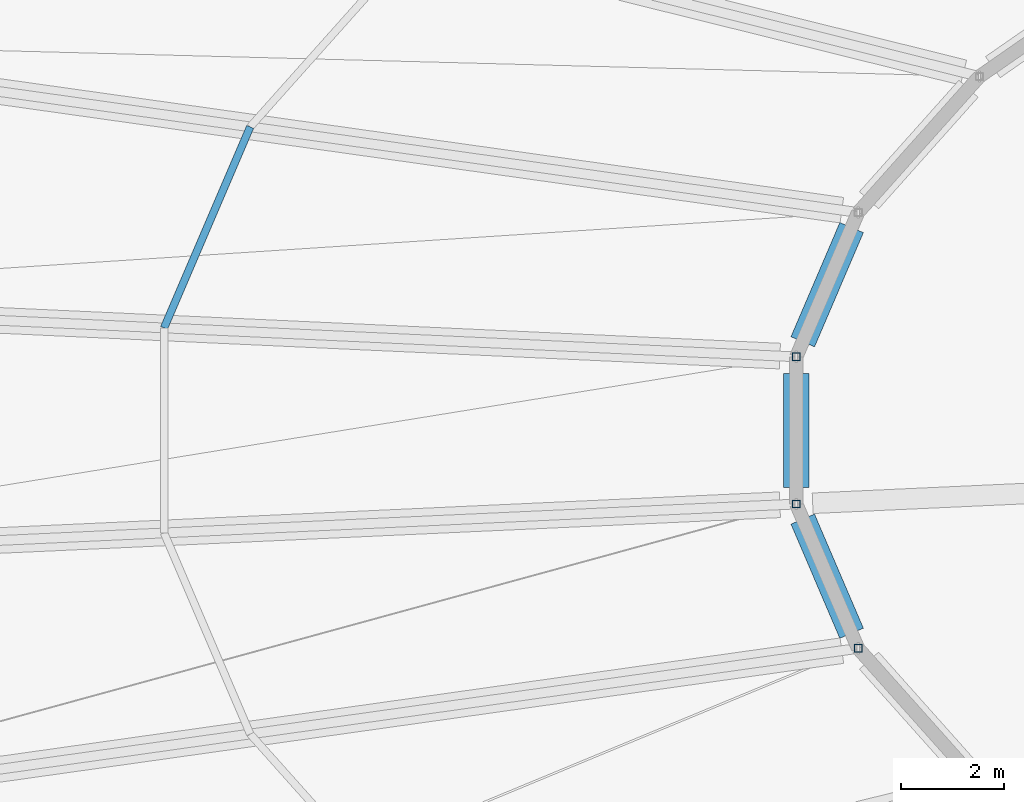
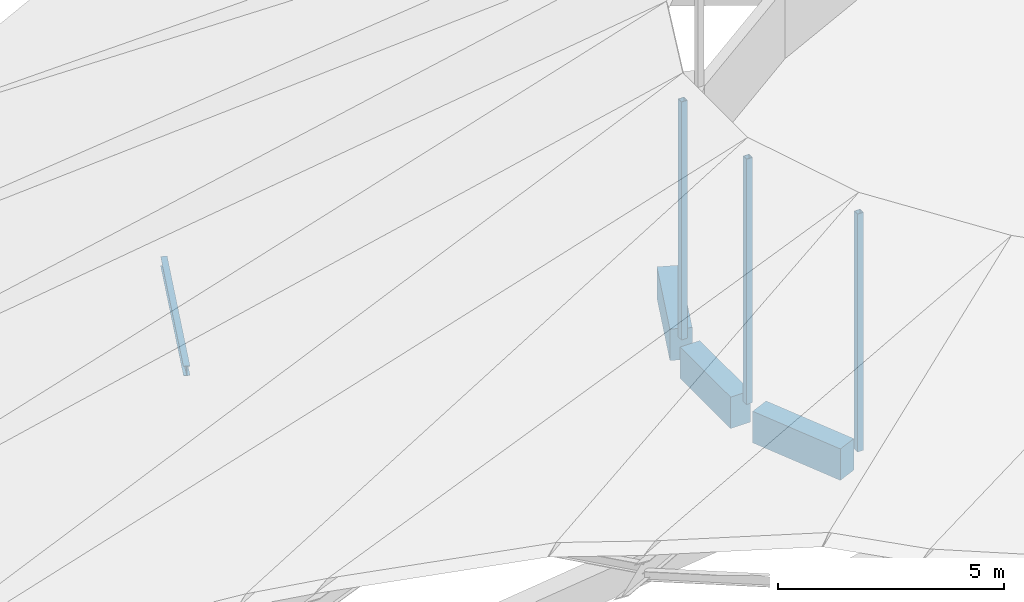
# One storey, part 25 of 142: 4 members, 3 beams.
"""IFC4 building model written with IfcOpenShell, lengths in metres."""

import ifcopenshell
import ifcopenshell.guid

model = None  # the IFC model being written
_history = None  # IfcOwnerHistory: only IFC2X3 demands one
_inside = {}  # id of a spatial element -> (the spatial element, [elements in it])
_under = {}  # id of a project, library or spatial element -> (it, [spatial elements below it])
_declared = {}  # id of a project -> (the project, [libraries it declares])
_typed = {}  # id of a type object -> (the type object, [elements of that type])
_made_of = {}  # id of a material, layer set ... -> (it, [elements and type objects made of it])


def new_model(schema):
    """Start an empty IFC model of exactly this schema.

    Asked for "IFC4X3", IfcOpenShell would pick the latest addendum, in which some entities
    have other attributes; the version numbers below select the first issue.
    IFC2X3 requires an IfcOwnerHistory on every rooted entity: one is made here for all.
    """
    global model, _history
    if schema == "IFC4X3":
        model = ifcopenshell.file(schema_version=(4, 3, 0, 0))
    else:
        model = ifcopenshell.file(schema=schema)
    _inside.clear()
    _under.clear()
    _declared.clear()
    _typed.clear()
    _made_of.clear()
    _history = None
    if model.schema == "IFC2X3":
        org = make("IfcOrganization", Name="unknown")
        user = make(
            "IfcPersonAndOrganization",
            ThePerson=make("IfcPerson", FamilyName="unknown"),
            TheOrganization=org,
        )
        app = make(
            "IfcApplication",
            ApplicationDeveloper=org,
            Version="unknown",
            ApplicationFullName="unknown",
            ApplicationIdentifier="unknown",
        )
        _history = make(
            "IfcOwnerHistory",
            OwningUser=user,
            OwningApplication=app,
            ChangeAction="ADDED",
            CreationDate=0,
        )
    return model


def make(cls, **values):
    """One entity of the class cls with the attributes given. An attribute that is None is left unset."""
    return model.create_entity(
        cls, **{name: value for name, value in values.items() if value is not None}
    )


def rooted(cls, **values):
    """An entity with a GlobalId (a new one), such as an element, a storey or a relation."""
    return make(cls, GlobalId=ifcopenshell.guid.new(), OwnerHistory=_history, **values)


def si_unit(unit_type, name, prefix=None):
    """IfcSIUnit, for example si_unit("LENGTHUNIT", "METRE", prefix="MILLI")."""
    return make("IfcSIUnit", UnitType=unit_type, Prefix=prefix, Name=name)


def assignment(units):
    """IfcUnitAssignment: the units of a project."""
    return None if units is None else make("IfcUnitAssignment", Units=units)


def point(xyz):
    """IfcCartesianPoint."""
    return None if xyz is None else make("IfcCartesianPoint", Coordinates=xyz)


def direction(xyz):
    """IfcDirection."""
    return None if xyz is None else make("IfcDirection", DirectionRatios=xyz)


def frame(location, z_axis=None, x_axis=None):
    """IfcAxis2Placement3D, a coordinate frame: its origin and axes. An axis left out is left unset."""
    return make(
        "IfcAxis2Placement3D",
        Location=point(location),
        Axis=direction(z_axis),
        RefDirection=direction(x_axis),
    )


def frame_2d(location, x_axis=None):
    """IfcAxis2Placement2D, a coordinate frame in the plane: its origin and x axis."""
    return make(
        "IfcAxis2Placement2D", Location=point(location), RefDirection=direction(x_axis)
    )


def origin():
    """The frame at (0, 0, 0) with its axes left unset."""
    return frame((0.0, 0.0, 0.0))


def origin_2d():
    """The frame at (0, 0) in the plane with its x axis left unset."""
    return frame_2d((0.0, 0.0))


def place(relative_to, where):
    """IfcLocalPlacement: puts the frame where relative to a parent placement (None: the world)."""
    return make(
        "IfcLocalPlacement", PlacementRelTo=relative_to, RelativePlacement=where
    )


def context(
    kind, dimensions, precision=None, world=None, true_north=None, identifier=None
):
    """IfcGeometricRepresentationContext, for example the 3D "Model" context."""
    return make(
        "IfcGeometricRepresentationContext",
        ContextIdentifier=identifier,
        ContextType=kind,
        CoordinateSpaceDimension=dimensions,
        Precision=precision,
        WorldCoordinateSystem=world,
        TrueNorth=true_north,
    )


def subcontext(parent, identifier, kind, view, scale=None):
    """IfcGeometricRepresentationSubContext, for example "Body" below "Model"."""
    return make(
        "IfcGeometricRepresentationSubContext",
        ContextIdentifier=identifier,
        ContextType=kind,
        ParentContext=parent,
        TargetScale=scale,
        TargetView=view,
    )


def project(units=None, contexts=None):
    """IfcProject with its units and contexts."""
    return rooted(
        "IfcProject",
        Name="project",
        RepresentationContexts=contexts,
        UnitsInContext=assignment(units),
    )


def spatial(cls, under=None, at=None, **own):
    """A site, building, storey or space (cls), placed at a placement, below another one or the project."""
    s = rooted(cls, ObjectPlacement=at, **own)
    if under is not None:
        _under.setdefault(under.id(), (under, []))[1].append(s)
    return s


def profile(cls, at=None, kind="AREA", **sizes):
    """A parametric profile (cls). Its sizes go by their IFC names, for example OverallWidth=200.0."""
    return make(cls, ProfileType=kind, Position=at, **sizes)


def rectangle(**sizes):
    """IfcRectangleProfileDef."""
    return profile("IfcRectangleProfileDef", **sizes)


def hollow_rectangle(**sizes):
    """IfcRectangleHollowProfileDef."""
    return profile("IfcRectangleHollowProfileDef", **sizes)


def i_section(**sizes):
    """IfcIShapeProfileDef."""
    return profile("IfcIShapeProfileDef", **sizes)


def extrude(swept, where, along, depth):
    """IfcExtrudedAreaSolid: the profile swept, set in the frame where, extruded along a direction by depth."""
    return make(
        "IfcExtrudedAreaSolid",
        SweptArea=swept,
        Position=where,
        ExtrudedDirection=direction(along),
        Depth=depth,
    )


def shape(context_of_items, identifier, shape_type, items):
    """IfcShapeRepresentation: the items that make up one representation, for example the "Body"."""
    return make(
        "IfcShapeRepresentation",
        ContextOfItems=context_of_items,
        RepresentationIdentifier=identifier,
        RepresentationType=shape_type,
        Items=items,
    )


def material(Name=None, Category=None):
    """IfcMaterial."""
    return make("IfcMaterial", Name=Name, Category=Category)


def material_profile(
    of_material, cross_section, Name=None, Category=None, Priority=None
):
    """IfcMaterialProfile: a cross section and its material."""
    return make(
        "IfcMaterialProfile",
        Name=Name,
        Material=of_material,
        Profile=cross_section,
        Priority=Priority,
        Category=Category,
    )


def profile_set(profiles, Name=None, composite=None):
    """IfcMaterialProfileSet."""
    return make(
        "IfcMaterialProfileSet",
        Name=Name,
        MaterialProfiles=profiles,
        CompositeProfile=composite,
    )


def made_of(thing, what):
    """Note that an element or type object is made of a material, layer set ...; save() writes the relation."""
    if what is not None:
        _made_of.setdefault(what.id(), (what, []))[1].append(thing)
    return thing


def type_object(cls, material=None, **own):
    """A type object (cls), such as IfcWallType, which elements share."""
    return made_of(rooted(cls, **own), material)


def element(
    cls,
    number,
    at=None,
    inside=None,
    cuts=None,
    type_object=None,
    material=None,
    context=None,
    identifier="Body",
    shape_type=None,
    held_by="IfcProductDefinitionShape",
    body=None,
    shapes=None,
    **own,
):
    """One element of the class cls, such as IfcWall. Its Tag is "e" and its number.

    at: its placement. inside: the storey or other place that contains it. cuts: it is an
    opening in that element (IfcRelVoidsElement). A single representation is given by context,
    identifier, shape_type and body (its items); several are given by shapes. held_by: the class
    of the entity that holds the representations. save() writes the other relations.
    """
    e = rooted(cls, Tag="e%d" % number, ObjectPlacement=at, **own)
    if body is not None:
        shapes = [shape(context, identifier, shape_type, body)]
    if shapes is not None:
        e.Representation = make(held_by, Representations=shapes)
    if inside is not None:
        _inside.setdefault(inside.id(), (inside, []))[1].append(e)
    if cuts is not None:
        rooted(
            "IfcRelVoidsElement", RelatingBuildingElement=cuts, RelatedOpeningElement=e
        )
    if type_object is not None:
        _typed.setdefault(type_object.id(), (type_object, []))[1].append(e)
    return made_of(e, material)


def aggregate(whole, parts):
    """IfcRelAggregates: a whole, such as a stair, and the parts it consists of."""
    return rooted("IfcRelAggregates", RelatingObject=whole, RelatedObjects=parts)


def save(model, path):
    """Write the relations noted so far, then the file.

    IfcRelAggregates (storeys below a building ...), IfcRelContainedInSpatialStructure (elements
    in a storey), IfcRelDefinesByType, IfcRelAssociatesMaterial and IfcRelDeclares: one each for
    every whole, place, type object, material and project.
    """
    for whole, parts in _under.values():
        aggregate(whole, parts)
    for where, things in _inside.values():
        rooted(
            "IfcRelContainedInSpatialStructure",
            RelatedElements=things,
            RelatingStructure=where,
        )
    for kind, things in _typed.values():
        rooted("IfcRelDefinesByType", RelatedObjects=things, RelatingType=kind)
    for what, things in _made_of.values():
        rooted("IfcRelAssociatesMaterial", RelatedObjects=things, RelatingMaterial=what)
    for by, libraries in _declared.values():
        rooted("IfcRelDeclares", RelatingContext=by, RelatedDefinitions=libraries)
    model.write(path)


model = new_model("IFC4")

# Units and contexts
model_context = context("Model", 3, precision=1e-05, world=origin(), true_north=direction((0.0, 1.0)))
body_context = subcontext(model_context, "Body", "Model", "MODEL_VIEW")
ifc_project = project(units=[si_unit("LENGTHUNIT", "METRE"), si_unit("AREAUNIT", "SQUARE_METRE"), si_unit("VOLUMEUNIT", "CUBIC_METRE"), si_unit("PLANEANGLEUNIT", "RADIAN"), si_unit("MASSUNIT", "GRAM", prefix="KILO")], contexts=[model_context])

# Site, building, storey
site_placement = place(None, origin())
site = spatial("IfcSite", under=ifc_project, at=site_placement, CompositionType="ELEMENT")
building_placement = place(site_placement, origin())
building = spatial("IfcBuilding", under=site, at=building_placement, Name="Corvandel Quay Wholesale Market", CompositionType="ELEMENT")
storey_placement = place(building_placement, frame((0.0, 0.0, 10.800048828125)))
storey = spatial("IfcBuildingStorey", under=building, at=storey_placement, Name="L02", CompositionType="ELEMENT", Elevation=10.800048828125)

# Beams
ifc_material_1 = material(Name="Precast concrete C45/55", Category="concrete")
ifc_material_profile_1 = material_profile(ifc_material_1, rectangle(XDim=0.5, YDim=0.85009765625, at=origin_2d()), Name="PC-GIR-500x850")
ifc_profile_set_1 = profile_set([ifc_material_profile_1], Name="Precast concrete C45/55")
beam_type = type_object("IfcBeamType", Name="Fish Hall Radial Girder G04 500x850", PredefinedType="USERDEFINED", material=ifc_profile_set_1)
beam_1_placement = place(storey_placement, frame((83.718994140625, 119.952880859375, -0.7451171875), z_axis=(-0.393700153476, -0.919238918428, 0.0), x_axis=(0.919238918428, -0.393700153476, 0.0)))
element("IfcBeam", 1, at=beam_1_placement, inside=storey, type_object=beam_type, Name="Beam BM-0623", ObjectType="GIRDER", PredefinedType="USERDEFINED", context=body_context, shape_type="SweptSolid", body=[
    extrude(rectangle(XDim=0.5, YDim=0.85009765625, at=origin_2d()), origin(), (0.0, 0.0, 1.0), 2.42041015625),
])
beam_2_placement = place(storey_placement, frame((82.639892578125, 117.114013671875, -0.7451171875), z_axis=(0.0, -1.0, 0.0), x_axis=(1.0, 0.0, 0.0)))
element("IfcBeam", 2, at=beam_2_placement, inside=storey, type_object=beam_type, Name="Beam BM-0630", ObjectType="GIRDER", PredefinedType="USERDEFINED", context=body_context, shape_type="SweptSolid", body=[
    extrude(rectangle(XDim=0.5, YDim=0.85009765625, at=origin_2d()), origin(), (0.0, 0.0, 1.0), 2.22802734375),
])
beam_3_placement = place(storey_placement, frame((82.76611328125, 114.27197265625, -0.7451171875), z_axis=(0.393700153476, -0.919238918428, 0.0), x_axis=(0.919238918428, 0.393700153476, 0.0)))
element("IfcBeam", 3, at=beam_3_placement, inside=storey, type_object=beam_type, Name="Beam BM-0637", ObjectType="GIRDER", PredefinedType="USERDEFINED", context=body_context, shape_type="SweptSolid", body=[
    extrude(rectangle(XDim=0.5, YDim=0.85009765625, at=origin_2d()), origin(), (0.0, 0.0, 1.0), 2.42041015625),
])

# Members
ifc_material_2 = material(Name="Steel A992 Grade 50", Category="steel")
ifc_material_profile_2 = material_profile(ifc_material_2, i_section(OverallWidth=0.14697265625, OverallDepth=0.261962890625, WebThickness=0.006591796875, FlangeThickness=0.01123046875, at=origin_2d()), Name="W10X26")
ifc_profile_set_2 = profile_set([ifc_material_profile_2], Name="Steel A992 Grade 50")
member_type_1 = type_object("IfcMemberType", Name="Roof Clerestory Purlin Rafter RF03 W10X26", PredefinedType="RAFTER", material=ifc_profile_set_2)
member_1_placement = place(storey_placement, frame((71.99853515625, 121.91552734375, 2.724853515625), z_axis=(-0.393787949611, -0.919201311325, 0.0), x_axis=(0.919201311325, -0.393787949611, 0.0)))
element("IfcMember", 4, at=member_1_placement, inside=storey, type_object=member_type_1, Name="Member MEM-0027", PredefinedType="RAFTER", context=body_context, shape_type="SweptSolid", body=[
    extrude(i_section(OverallWidth=0.14697265625, OverallDepth=0.261962890625, WebThickness=0.006591796875, FlangeThickness=0.01123046875, at=origin_2d()), origin(), (0.0, 0.0, 1.0), 4.262451171875),
])
ifc_material_3 = material(Name="Steel A500 Grade C", Category="steel")
ifc_material_profile_3 = material_profile(ifc_material_3, hollow_rectangle(XDim=0.152099609375, YDim=0.152099609375, WallThickness=0.0087890625, at=origin_2d()), Name="HSS6X6X3/8")
ifc_profile_set_3 = profile_set([ifc_material_profile_3], Name="Steel A500 Grade C")
member_type_2 = type_object("IfcMemberType", Name="Sawtooth Truss Web Brace BR03 HSS6X6", PredefinedType="BRACE", material=ifc_profile_set_3)
member_2_placement = place(storey_placement, frame((82.639892578125, 117.43408203125, -0.340087890625), z_axis=(0.0, 0.0, 1.0), x_axis=(1.0, 0.0, 0.0)))
element("IfcMember", 5, at=member_2_placement, inside=storey, type_object=member_type_2, Name="Member MEM-0029", PredefinedType="BRACE", context=body_context, shape_type="SweptSolid", body=[
    extrude(hollow_rectangle(XDim=0.152099609375, YDim=0.152099609375, WallThickness=0.0087890625, at=origin_2d()), origin(), (0.0, 0.0, 1.0), 6.4111328125),
])
member_3_placement = place(storey_placement, frame((82.639892578125, 114.56591796875, -0.340087890625), z_axis=(0.0, 0.0, 1.0), x_axis=(1.0, 0.0, 0.0)))
element("IfcMember", 6, at=member_3_placement, inside=storey, type_object=member_type_2, Name="Member MEM-0032", PredefinedType="BRACE", context=body_context, shape_type="SweptSolid", body=[
    extrude(hollow_rectangle(XDim=0.152099609375, YDim=0.152099609375, WallThickness=0.0087890625, at=origin_2d()), origin(), (0.0, 0.0, 1.0), 6.609130859375),
])
member_4_placement = place(storey_placement, frame((83.844970703125, 111.7529296875, -0.340087890625), z_axis=(0.0, 0.0, 1.0), x_axis=(1.0, 0.0, 0.0)))
element("IfcMember", 7, at=member_4_placement, inside=storey, type_object=member_type_2, Name="Member MEM-0035", PredefinedType="BRACE", context=body_context, shape_type="SweptSolid", body=[
    extrude(hollow_rectangle(XDim=0.152099609375, YDim=0.152099609375, WallThickness=0.0087890625, at=origin_2d()), origin(), (0.0, 0.0, 1.0), 6.4111328125),
])

save(model, "model.ifc")
